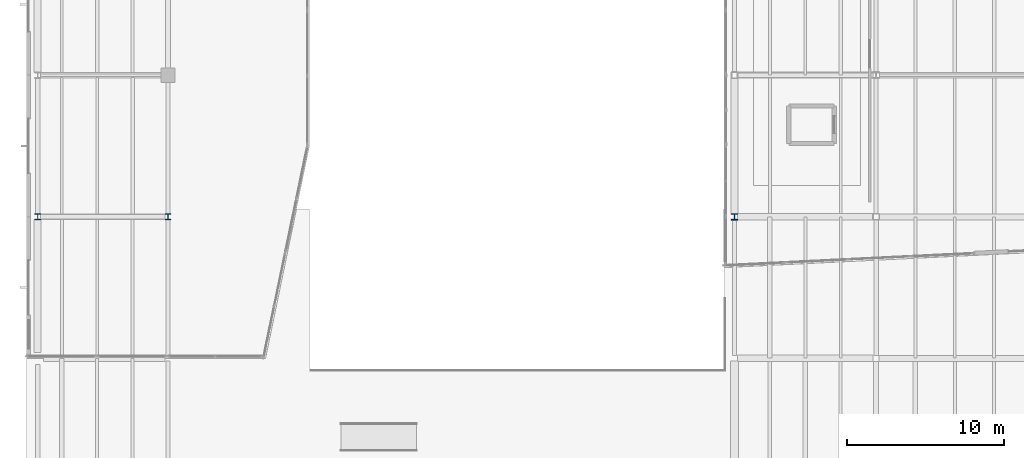
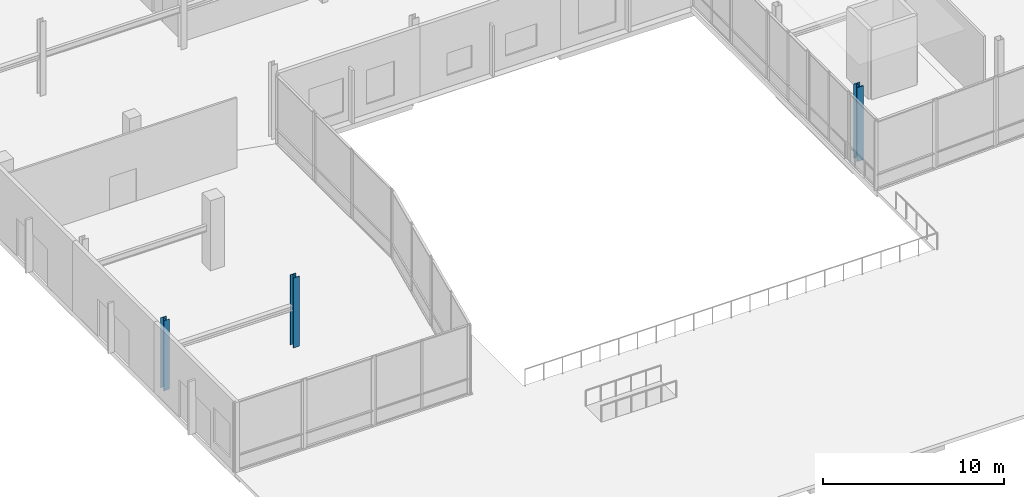
# One storey, part 1 of 88: 3 columns.
"""IFC4 building model written with IfcOpenShell, lengths in metres."""

from ifc_helpers import new_model, si_unit, direction, frame, origin, origin_2d, place, context, subcontext, project, spatial, i_section, extrude, material, material_profile, profile_set, type_object, element, save


model = new_model("IFC4")

# Units and contexts
model_context = context("Model", 3, precision=1e-05, world=origin(), true_north=direction((0.0, 1.0)))
body_context = subcontext(model_context, "Body", "Model", "MODEL_VIEW")
ifc_project = project(units=[si_unit("LENGTHUNIT", "METRE"), si_unit("AREAUNIT", "SQUARE_METRE"), si_unit("VOLUMEUNIT", "CUBIC_METRE"), si_unit("PLANEANGLEUNIT", "RADIAN"), si_unit("MASSUNIT", "GRAM", prefix="KILO")], contexts=[model_context])

# Site, building, storey
site_placement = place(None, origin())
site = spatial("IfcSite", under=ifc_project, at=site_placement, CompositionType="ELEMENT")
building_placement = place(site_placement, origin())
building = spatial("IfcBuilding", under=site, at=building_placement, Name="Trimount Lyric Opera House", CompositionType="ELEMENT")
storey_placement = place(building_placement, origin())
storey = spatial("IfcBuildingStorey", under=building, at=storey_placement, Name="L00", CompositionType="ELEMENT", Elevation=0.0)

# Columns
ifc_material_1 = material(Name="Steel ASTM A992 Grade 50", Category="steel")
ifc_material_profile_1 = material_profile(ifc_material_1, i_section(OverallWidth=0.406005859375, OverallDepth=0.4169921875, WebThickness=0.02978515625, FlangeThickness=0.048095703125, FilletRadius=0.01806640625, at=origin_2d()), Name="W14X257")
ifc_profile_set_1 = profile_set([ifc_material_profile_1], Name="Steel ASTM A992 Grade 50")
column_type_1 = type_object("IfcColumnType", Name="C-02", PredefinedType="COLUMN", material=ifc_profile_set_1)
column_1_placement = place(storey_placement, frame((45.0, 26.0, 0.0), z_axis=(0.0, 0.0, 1.0), x_axis=(1.0, 0.0, 0.0)))
element("IfcColumn", 1, at=column_1_placement, inside=storey, type_object=column_type_1, Name="L00 column 6/D", PredefinedType="COLUMN", context=body_context, shape_type="SweptSolid", body=[
    extrude(i_section(OverallWidth=0.406005859375, OverallDepth=0.4169921875, WebThickness=0.02978515625, FlangeThickness=0.048095703125, FilletRadius=0.01806640625, at=origin_2d()), origin(), (0.0, 0.0, 1.0), 5.0),
])
ifc_material_2 = material(Name="Steel ASTM A992 Grade 50", Category="steel")
ifc_material_profile_2 = material_profile(ifc_material_2, i_section(OverallWidth=0.373046875, OverallDepth=0.367919921875, WebThickness=0.014892578125, FlangeThickness=0.02392578125, FilletRadius=0.014892578125, at=origin_2d()), Name="W14X120")
ifc_profile_set_2 = profile_set([ifc_material_profile_2], Name="Steel ASTM A992 Grade 50")
column_type_2 = type_object("IfcColumnType", Name="C-04", PredefinedType="COLUMN", material=ifc_profile_set_2)
column_2_placement = place(storey_placement, frame((9.0, 26.0, 0.0), z_axis=(0.0, 0.0, 1.0), x_axis=(1.0, 0.0, 0.0)))
element("IfcColumn", 2, at=column_2_placement, inside=storey, type_object=column_type_2, Name="L00 column 2/D", PredefinedType="COLUMN", context=body_context, shape_type="SweptSolid", body=[
    extrude(i_section(OverallWidth=0.373046875, OverallDepth=0.367919921875, WebThickness=0.014892578125, FlangeThickness=0.02392578125, FilletRadius=0.014892578125, at=origin_2d()), origin(), (0.0, 0.0, 1.0), 4.72998046875),
])
ifc_material_3 = material(Name="Steel ASTM A992 Grade 50", Category="steel")
ifc_material_profile_3 = material_profile(ifc_material_3, i_section(OverallWidth=0.367919921875, OverallDepth=0.35595703125, WebThickness=0.01123046875, FlangeThickness=0.01806640625, FilletRadius=0.014892578125, at=origin_2d()), Name="W14X90")
ifc_profile_set_3 = profile_set([ifc_material_profile_3], Name="Steel ASTM A992 Grade 50")
column_type_3 = type_object("IfcColumnType", Name="C-09", PredefinedType="COLUMN", material=ifc_profile_set_3)
column_3_placement = place(storey_placement, frame((0.719970703125, 26.0, 0.0), z_axis=(0.0, 0.0, 1.0), x_axis=(1.0, 0.0, 0.0)))
element("IfcColumn", 3, at=column_3_placement, inside=storey, type_object=column_type_3, Name="L00 column 1/D", PredefinedType="COLUMN", context=body_context, shape_type="SweptSolid", body=[
    extrude(i_section(OverallWidth=0.367919921875, OverallDepth=0.35595703125, WebThickness=0.01123046875, FlangeThickness=0.01806640625, FilletRadius=0.014892578125, at=origin_2d()), origin(), (0.0, 0.0, 1.0), 4.72998046875),
])

save(model, "model.ifc")
